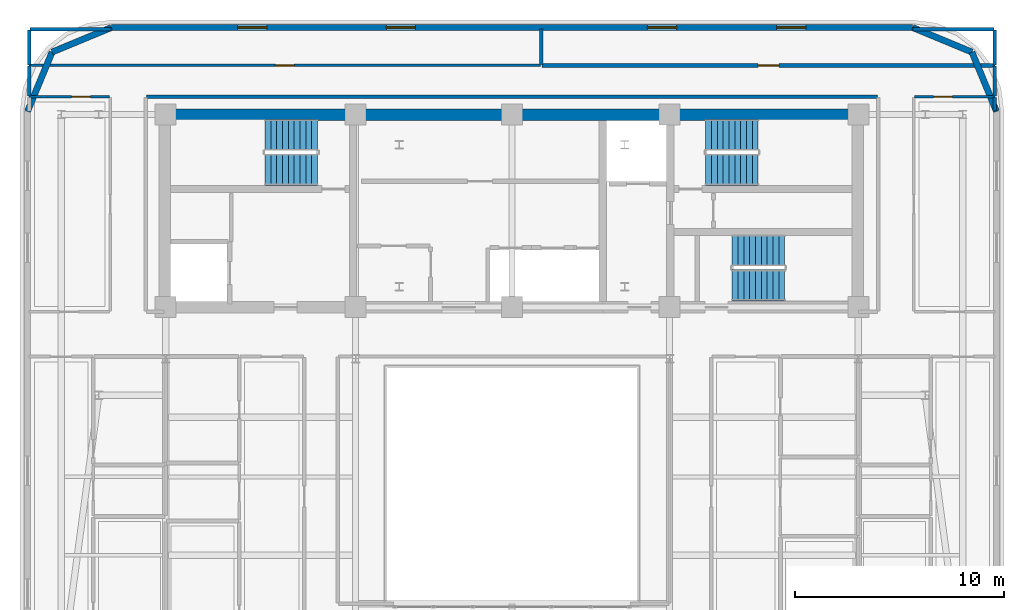
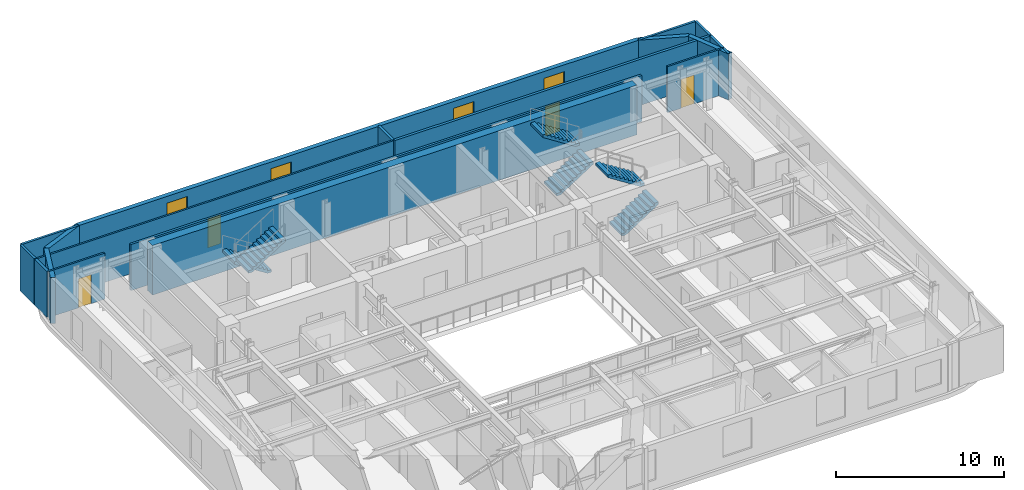
# One storey, part 10 of 14: 19 walls, 6 stair flights, 4 doors, 4 windows, 8 openings, 3 elements without a shape of their own.
"""IFC4 building model written with IfcOpenShell, lengths in metres."""

from ifc_helpers import new_model, si_unit, direction, frame, frame_2d, origin, place, context, subcontext, project, spatial, polyline, rectangle, outline, extrude, material, layer, layer_set, type_object, element, fill, aggregate, save


model = new_model("IFC4")

# Units and contexts
model_context = context("Model", 3, precision=1e-05, world=origin(), true_north=direction((0.0, 1.0)))
body_context = subcontext(model_context, "Body", "Model", "MODEL_VIEW")
ifc_project = project(units=[si_unit("LENGTHUNIT", "METRE"), si_unit("AREAUNIT", "SQUARE_METRE"), si_unit("VOLUMEUNIT", "CUBIC_METRE"), si_unit("PLANEANGLEUNIT", "RADIAN"), si_unit("MASSUNIT", "GRAM", prefix="KILO")], contexts=[model_context])

# Site, building, storey
site_placement = place(None, origin())
site = spatial("IfcSite", under=ifc_project, at=site_placement, CompositionType="ELEMENT")
building_placement = place(site_placement, origin())
building = spatial("IfcBuilding", under=site, at=building_placement, Name="Zarnavel Station Tower", CompositionType="ELEMENT")
storey_placement = place(building_placement, frame((0.0, 0.0, 193.199951171875)))
storey = spatial("IfcBuildingStorey", under=building, at=storey_placement, Name="L52", CompositionType="ELEMENT", Elevation=193.199951171875)

# Walls
ifc_material_1 = material(Name="Concrete C50/60", Category="concrete")
ifc_layer_1 = layer(ifc_material_1, 0.550048828125)
ifc_layer_set_1 = layer_set([ifc_layer_1], Name="CW_550")
wall_type_1 = type_object("IfcWallType", Name="CW_550", PredefinedType="SHEAR", material=ifc_layer_set_1)
wall_1_placement = place(storey_placement, frame((12.14990234375, 37.050048828125, 0.0), z_axis=(0.0, 0.0, 1.0), x_axis=(1.0, 0.0, 0.0)))
element("IfcWall", 1, at=wall_1_placement, inside=storey, type_object=wall_type_1, Name="L52 Rear Core Shear Wall N", PredefinedType="SHEAR", context=body_context, shape_type="SweptSolid", body=[
    extrude(rectangle(XDim=33.22998046875, YDim=0.550048828125, at=frame_2d((16.614990234375, 0.0))), origin(), (0.0, 0.0, 1.0), 3.60009765625),
])
ifc_material_2 = material(Name="Precast concrete C45/55 (Dark Basalt Finish)", Category="masonry")
ifc_layer_2 = layer(ifc_material_2, 0.300048828125)
ifc_layer_set_2 = layer_set([ifc_layer_2], Name="EW_BASALT_300")
wall_type_2 = type_object("IfcWallType", Name="EW_BASALT_300", PredefinedType="SOLIDWALL", material=ifc_layer_set_2)
for number, where, z_axis, x_axis, name in (
    (2, (50.842529296875, 40.04248046875, 0.0), (0.0, 0.0, 1.0), (0.382704529509, -0.923870793506, 0.0), "L52 Exterior Basalt Masonry Frame Wall 04"),
    (3, (48.0, 41.219970703125, 0.0), (0.0, 0.0, 1.0), (0.923870793506, -0.382704529509, 0.0), "L52 Exterior Basalt Masonry Frame Wall 05"),
):
    element("IfcWall", number, at=place(storey_placement, frame(where, z_axis=z_axis, x_axis=x_axis)), inside=storey, type_object=wall_type_2, Name=name, PredefinedType="SOLIDWALL", context=body_context, shape_type="SweptSolid", body=[
        extrude(rectangle(XDim=3.07666015625, YDim=0.300048828125, at=frame_2d((1.538330078125, 0.0))), origin(), (0.0, 0.0, 1.0), 3.340087890625),
    ])

# Wall, openings, windows
wall_2_placement = place(storey_placement, frame((9.60009765625, 41.219970703125, 0.0), z_axis=(0.0, 0.0, 1.0), x_axis=(1.0, 0.0, 0.0)))
wall_2 = element("IfcWall", 4, at=wall_2_placement, inside=storey, type_object=wall_type_2, Name="L52 Exterior Basalt Masonry Frame Wall 06", PredefinedType="SOLIDWALL", context=body_context, shape_type="SweptSolid", body=[
    extrude(rectangle(XDim=38.39990234375, YDim=0.300048828125, at=frame_2d((19.199951171875, 0.0))), origin(), (0.0, 0.0, 1.0), 3.340087890625),
])
opening_1_placement = place(wall_2_placement, frame((6.046630859375, 0.0, 0.75)))
opening_1 = element("IfcOpeningElement", 5, at=opening_1_placement, cuts=wall_2, Name="Opening WN04", PredefinedType="OPENING", context=body_context, shape_type="SweptSolid", body=[
    extrude(rectangle(XDim=1.39990234375, YDim=2.10009765625, at=frame_2d((0.699951171875, 1.050048828125))), frame((0.0, 0.159912109375, 0.0), z_axis=(0.0, -1.0, 0.0), x_axis=(1.0, 0.0, 0.0)), (0.0, 0.0, 1.0), 0.320068359375),
])
opening_2_placement = place(wall_2_placement, frame((13.17333984375, 0.0, 0.75)))
opening_2 = element("IfcOpeningElement", 6, at=opening_2_placement, cuts=wall_2, Name="Opening WN04", PredefinedType="OPENING", context=body_context, shape_type="SweptSolid", body=[
    extrude(rectangle(XDim=1.39990234375, YDim=2.10009765625, at=frame_2d((0.699951171875, 1.050048828125))), frame((0.0, 0.159912109375, 0.0), z_axis=(0.0, -1.0, 0.0), x_axis=(1.0, 0.0, 0.0)), (0.0, 0.0, 1.0), 0.320068359375),
])
opening_3_placement = place(wall_2_placement, frame((25.693359375, 0.0, 0.75)))
opening_3 = element("IfcOpeningElement", 7, at=opening_3_placement, cuts=wall_2, Name="Opening WN04", PredefinedType="OPENING", context=body_context, shape_type="SweptSolid", body=[
    extrude(rectangle(XDim=1.39990234375, YDim=2.10009765625, at=frame_2d((0.699951171875, 1.050048828125))), frame((0.0, 0.159912109375, 0.0), z_axis=(0.0, -1.0, 0.0), x_axis=(1.0, 0.0, 0.0)), (0.0, 0.0, 1.0), 0.320068359375),
])
opening_4_placement = place(wall_2_placement, frame((31.88671875, 0.0, 0.75)))
opening_4 = element("IfcOpeningElement", 8, at=opening_4_placement, cuts=wall_2, Name="Opening WN04", PredefinedType="OPENING", context=body_context, shape_type="SweptSolid", body=[
    extrude(rectangle(XDim=1.39990234375, YDim=2.10009765625, at=frame_2d((0.699951171875, 1.050048828125))), frame((0.0, 0.159912109375, 0.0), z_axis=(0.0, -1.0, 0.0), x_axis=(1.0, 0.0, 0.0)), (0.0, 0.0, 1.0), 0.320068359375),
])
ifc_material_3 = material(Name="Thermally Broken Black Aluminium and Low-E Dark Glass", Category="aluminium")
window_type = type_object("IfcWindowType", Name="WN_1400x2100", PartitioningType="DOUBLE_PANEL_VERTICAL", PredefinedType="WINDOW", material=ifc_material_3)
window_1_placement = place(opening_1_placement, origin())
window_1 = element("IfcWindow", 9, at=window_1_placement, inside=storey, type_object=window_type, Name="L52 Recessed Facade Window 01", OverallHeight=2.10009765625, OverallWidth=1.39990234375, PartitioningType="SINGLE_PANEL", PredefinedType="WINDOW", context=body_context, shape_type="SweptSolid", body=[
    extrude(rectangle(XDim=1.39990234375, YDim=2.10009765625, at=frame_2d((0.699951171875, 1.050048828125))), frame((0.0, 0.030029296875, 0.0), z_axis=(0.0, -1.0, 0.0), x_axis=(1.0, 0.0, 0.0)), (0.0, 0.0, 1.0), 0.06005859375),
])
fill(opening_1, window_1)
window_2_placement = place(opening_2_placement, origin())
window_2 = element("IfcWindow", 10, at=window_2_placement, inside=storey, type_object=window_type, Name="L52 Recessed Facade Window 02", OverallHeight=2.10009765625, OverallWidth=1.39990234375, PartitioningType="SINGLE_PANEL", PredefinedType="WINDOW", context=body_context, shape_type="SweptSolid", body=[
    extrude(rectangle(XDim=1.39990234375, YDim=2.10009765625, at=frame_2d((0.699951171875, 1.050048828125))), frame((0.0, 0.030029296875, 0.0), z_axis=(0.0, -1.0, 0.0), x_axis=(1.0, 0.0, 0.0)), (0.0, 0.0, 1.0), 0.06005859375),
])
fill(opening_2, window_2)
window_3_placement = place(opening_3_placement, origin())
window_3 = element("IfcWindow", 11, at=window_3_placement, inside=storey, type_object=window_type, Name="L52 Recessed Facade Window 03", OverallHeight=2.10009765625, OverallWidth=1.39990234375, PartitioningType="SINGLE_PANEL", PredefinedType="WINDOW", context=body_context, shape_type="SweptSolid", body=[
    extrude(rectangle(XDim=1.39990234375, YDim=2.10009765625, at=frame_2d((0.699951171875, 1.050048828125))), frame((0.0, 0.030029296875, 0.0), z_axis=(0.0, -1.0, 0.0), x_axis=(1.0, 0.0, 0.0)), (0.0, 0.0, 1.0), 0.06005859375),
])
fill(opening_3, window_3)
window_4_placement = place(opening_4_placement, origin())
window_4 = element("IfcWindow", 12, at=window_4_placement, inside=storey, type_object=window_type, Name="L52 Recessed Facade Window 04", OverallHeight=2.10009765625, OverallWidth=1.39990234375, PartitioningType="SINGLE_PANEL", PredefinedType="WINDOW", context=body_context, shape_type="SweptSolid", body=[
    extrude(rectangle(XDim=1.39990234375, YDim=2.10009765625, at=frame_2d((0.699951171875, 1.050048828125))), frame((0.0, 0.030029296875, 0.0), z_axis=(0.0, -1.0, 0.0), x_axis=(1.0, 0.0, 0.0)), (0.0, 0.0, 1.0), 0.06005859375),
])
fill(opening_4, window_4)

# Walls
wall_3_placement = place(storey_placement, frame((6.75732421875, 40.04248046875, 0.0), z_axis=(0.0, 0.0, 1.0), x_axis=(0.923882414032, 0.382676475685, 0.0)))
element("IfcWall", 13, at=wall_3_placement, inside=storey, type_object=wall_type_2, Name="L52 Exterior Basalt Masonry Frame Wall 07", PredefinedType="SOLIDWALL", context=body_context, shape_type="SweptSolid", body=[
    extrude(rectangle(XDim=3.076904296875, YDim=0.300048828125, at=frame_2d((1.53857421875, 0.0))), origin(), (0.0, 0.0, 1.0), 3.340087890625),
])
wall_4_placement = place(storey_placement, frame((5.580078125, 37.199951171875, 0.0), z_axis=(0.0, 0.0, 1.0), x_axis=(0.382636798336, 0.92389884758, 0.0)))
element("IfcWall", 14, at=wall_4_placement, inside=storey, type_object=wall_type_2, Name="L52 Exterior Basalt Masonry Frame Wall 08", PredefinedType="SOLIDWALL", context=body_context, shape_type="SweptSolid", body=[
    extrude(rectangle(XDim=3.07666015625, YDim=0.300048828125, at=frame_2d((1.538330078125, 0.0))), origin(), (0.0, 0.0, 1.0), 3.340087890625),
])
ifc_material_4 = material(Name="Gypsum Twin-Stud Acoustic Fire Partition", Category="concrete")
ifc_layer_3 = layer(ifc_material_4, 0.159912109375)
ifc_layer_set_3 = layer_set([ifc_layer_3], Name="PT_DEMISE_160")
wall_type_3 = type_object("IfcWallType", Name="PT_DEMISE_160", PredefinedType="PARTITIONING", material=ifc_layer_set_3)
wall_5_placement = place(storey_placement, frame((11.280029296875, 37.89990234375, 0.0), z_axis=(0.0, 0.0, 1.0), x_axis=(1.0, 0.0, 0.0)))
element("IfcWall", 15, at=wall_5_placement, inside=storey, type_object=wall_type_3, Name="L52 Enclosure Wall COR-N", PredefinedType="PARTITIONING", context=body_context, shape_type="SweptSolid", body=[
    extrude(rectangle(XDim=35.0400390625, YDim=0.159912109375, at=frame_2d((17.52001953125, 0.0))), origin(), (0.0, 0.0, 1.0), 3.340087890625),
])
for number, where, z_axis, x_axis, name in (
    (16, (5.659912109375, 37.929931640625, 0.0), (0.0, 0.0, 1.0), (0.0, 1.0, 0.0), "L52 Enclosure Wall COR-N"),
    (17, (51.93994140625, 37.929931640625, 0.0), (0.0, 0.0, 1.0), (0.0, 1.0, 0.0), "L52 Enclosure Wall COR-N"),
):
    element("IfcWall", number, at=place(storey_placement, frame(where, z_axis=z_axis, x_axis=x_axis)), inside=storey, type_object=wall_type_3, Name=name, PredefinedType="PARTITIONING", context=body_context, shape_type="SweptSolid", body=[
        extrude(rectangle(XDim=1.440185546875, YDim=0.159912109375, at=frame_2d((0.72021484375, 0.0))), origin(), (0.0, 0.0, 1.0), 3.340087890625),
    ])
wall_6_placement = place(storey_placement, frame((51.93994140625, 37.22998046875, 0.0), z_axis=(0.0, 0.0, 1.0), x_axis=(0.0, 1.0, 0.0)))
element("IfcWall", 18, at=wall_6_placement, inside=storey, type_object=wall_type_3, Name="L52 Enclosure Wall FNE", PredefinedType="PARTITIONING", context=body_context, shape_type="SweptSolid", body=[
    extrude(rectangle(XDim=0.64013671875, YDim=0.159912109375, at=frame_2d((0.320068359375, 0.0))), origin(), (0.0, 0.0, 1.0), 3.340087890625),
])
wall_7_placement = place(storey_placement, frame((5.68994140625, 41.139892578125, 0.0), z_axis=(0.0, 0.0, 1.0), x_axis=(1.0, 0.0, 0.0)))
element("IfcWall", 19, at=wall_7_placement, inside=storey, type_object=wall_type_3, Name="L52 Enclosure Wall NLOU", PredefinedType="PARTITIONING", context=body_context, shape_type="SweptSolid", body=[
    extrude(rectangle(XDim=3.880126953125, YDim=0.159912109375, at=frame_2d((1.93994140625, 0.0))), origin(), (0.0, 0.0, 1.0), 3.340087890625),
])
wall_8_placement = place(storey_placement, frame((5.659912109375, 39.429931640625, 0.0), z_axis=(0.0, 0.0, 1.0), x_axis=(0.0, 1.0, 0.0)))
element("IfcWall", 20, at=wall_8_placement, inside=storey, type_object=wall_type_3, Name="L52 Enclosure Wall NLOU", PredefinedType="PARTITIONING", context=body_context, shape_type="SweptSolid", body=[
    extrude(rectangle(XDim=1.68017578125, YDim=0.159912109375, at=frame_2d((0.840087890625, 0.0))), origin(), (0.0, 0.0, 1.0), 3.340087890625),
])
wall_9_placement = place(storey_placement, frame((48.030029296875, 41.139892578125, 0.0), z_axis=(0.0, 0.0, 1.0), x_axis=(1.0, 0.0, 0.0)))
element("IfcWall", 21, at=wall_9_placement, inside=storey, type_object=wall_type_3, Name="L52 Enclosure Wall NPAN", PredefinedType="PARTITIONING", context=body_context, shape_type="SweptSolid", body=[
    extrude(rectangle(XDim=3.8798828125, YDim=0.159912109375, at=frame_2d((1.93994140625, 0.0))), origin(), (0.0, 0.0, 1.0), 3.340087890625),
])
wall_10_placement = place(storey_placement, frame((51.93994140625, 39.429931640625, 0.0), z_axis=(0.0, 0.0, 1.0), x_axis=(0.0, 1.0, 0.0)))
element("IfcWall", 22, at=wall_10_placement, inside=storey, type_object=wall_type_3, Name="L52 Enclosure Wall NPAN", PredefinedType="PARTITIONING", context=body_context, shape_type="SweptSolid", body=[
    extrude(rectangle(XDim=1.68017578125, YDim=0.159912109375, at=frame_2d((0.840087890625, 0.0))), origin(), (0.0, 0.0, 1.0), 3.340087890625),
])

# Wall, opening, door
ifc_material_5 = material(Name="Gypsum Metal-Stud Interior Partition", Category="concrete")
ifc_layer_4 = layer(ifc_material_5, 0.1201171875)
ifc_layer_set_4 = layer_set([ifc_layer_4], Name="PT_ROOM_120")
wall_type_4 = type_object("IfcWallType", Name="PT_ROOM_120", PredefinedType="PARTITIONING", material=ifc_layer_set_4)
wall_11_placement = place(storey_placement, frame((5.659912109375, 37.89990234375, 0.0), z_axis=(0.0, 0.0, 1.0), x_axis=(1.0, 0.0, 0.0)))
wall_11 = element("IfcWall", 23, at=wall_11_placement, inside=storey, type_object=wall_type_4, Name="L52 Partition COR-N-FNW", PredefinedType="PARTITIONING", context=body_context, shape_type="SweptSolid", body=[
    extrude(rectangle(XDim=3.85009765625, YDim=0.1201171875, at=frame_2d((1.925048828125, 0.0))), origin(), (0.0, 0.0, 1.0), 3.340087890625),
])
opening_5_placement = place(wall_11_placement, frame((2.03125, 0.0, 0.0)))
opening_5 = element("IfcOpeningElement", 24, at=opening_5_placement, cuts=wall_11, Name="Opening ID01", PredefinedType="OPENING", context=body_context, shape_type="SweptSolid", body=[
    extrude(rectangle(XDim=0.89990234375, YDim=2.10009765625, at=frame_2d((0.449951171875, 1.050048828125))), frame((0.0, 0.070068359375, 0.0), z_axis=(0.0, -1.0, 0.0), x_axis=(1.0, 0.0, 0.0)), (0.0, 0.0, 1.0), 0.14013671875),
])
ifc_material_6 = material(Name="Painted Galvanised Steel and Hardwood Leaf", Category="steel")
door_type_1 = type_object("IfcDoorType", Name="ID_ROOM_900", OperationType="NOTDEFINED", PredefinedType="DOOR", material=ifc_material_6)
door_1_placement = place(opening_5_placement, origin())
door_1 = element("IfcDoor", 25, at=door_1_placement, inside=storey, type_object=door_type_1, Name="L52 Door COR-N-FNW", OperationType="SINGLE_SWING_LEFT", OverallHeight=2.10009765625, OverallWidth=0.89990234375, PredefinedType="DOOR", context=body_context, shape_type="SweptSolid", body=[
    extrude(rectangle(XDim=0.89990234375, YDim=2.10009765625, at=frame_2d((0.449951171875, 1.050048828125))), frame((0.0, 0.02490234375, 0.0), z_axis=(0.0, -1.0, 0.0), x_axis=(1.0, 0.0, 0.0)), (0.0, 0.0, 1.0), 0.050048828125),
])
fill(opening_5, door_1)

wall_12_placement = place(storey_placement, frame((48.090087890625, 37.89990234375, 0.0), z_axis=(0.0, 0.0, 1.0), x_axis=(1.0, 0.0, 0.0)))
wall_12 = element("IfcWall", 26, at=wall_12_placement, inside=storey, type_object=wall_type_4, Name="L52 Partition COR-N-FNE", PredefinedType="PARTITIONING", context=body_context, shape_type="SweptSolid", body=[
    extrude(rectangle(XDim=3.849853515625, YDim=0.1201171875, at=frame_2d((1.9248046875, 0.0))), origin(), (0.0, 0.0, 1.0), 3.340087890625),
])
opening_6_placement = place(wall_12_placement, frame((0.918701171875, 0.0, 0.0)))
opening_6 = element("IfcOpeningElement", 27, at=opening_6_placement, cuts=wall_12, Name="Opening ID01", PredefinedType="OPENING", context=body_context, shape_type="SweptSolid", body=[
    extrude(rectangle(XDim=0.89990234375, YDim=2.10009765625, at=frame_2d((0.449951171875, 1.050048828125))), frame((0.0, 0.070068359375, 0.0), z_axis=(0.0, -1.0, 0.0), x_axis=(1.0, 0.0, 0.0)), (0.0, 0.0, 1.0), 0.14013671875),
])
door_2_placement = place(opening_6_placement, origin())
door_2 = element("IfcDoor", 28, at=door_2_placement, inside=storey, type_object=door_type_1, Name="L52 Door COR-N-FNE", OperationType="SINGLE_SWING_RIGHT", OverallHeight=2.10009765625, OverallWidth=0.89990234375, PredefinedType="DOOR", context=body_context, shape_type="SweptSolid", body=[
    extrude(rectangle(XDim=0.89990234375, YDim=2.10009765625, at=frame_2d((0.449951171875, 1.050048828125))), frame((0.0, 0.02490234375, 0.0), z_axis=(0.0, -1.0, 0.0), x_axis=(1.0, 0.0, 0.0)), (0.0, 0.0, 1.0), 0.050048828125),
])
fill(opening_6, door_2)

wall_13_placement = place(storey_placement, frame((5.659912109375, 39.39990234375, 0.0), z_axis=(0.0, 0.0, 1.0), x_axis=(1.0, 0.0, 0.0)))
wall_13 = element("IfcWall", 29, at=wall_13_placement, inside=storey, type_object=wall_type_4, Name="L52 Partition COR-N-NLOU", PredefinedType="PARTITIONING", context=body_context, shape_type="SweptSolid", body=[
    extrude(rectangle(XDim=24.5, YDim=0.1201171875, at=frame_2d((12.25, 0.0))), origin(), (0.0, 0.0, 1.0), 3.340087890625),
])
opening_7_placement = place(wall_13_placement, frame((11.800048828125, 0.0, 0.0)))
opening_7 = element("IfcOpeningElement", 30, at=opening_7_placement, cuts=wall_13, Name="Opening ID01", PredefinedType="OPENING", context=body_context, shape_type="SweptSolid", body=[
    extrude(rectangle(XDim=0.89990234375, YDim=2.10009765625, at=frame_2d((0.449951171875, 1.050048828125))), frame((0.0, 0.070068359375, 0.0), z_axis=(0.0, -1.0, 0.0), x_axis=(1.0, 0.0, 0.0)), (0.0, 0.0, 1.0), 0.14013671875),
])
door_3_placement = place(opening_7_placement, origin())
door_3 = element("IfcDoor", 31, at=door_3_placement, inside=storey, type_object=door_type_1, Name="L52 Door COR-N-NLOU", OperationType="SINGLE_SWING_LEFT", OverallHeight=2.10009765625, OverallWidth=0.89990234375, PredefinedType="DOOR", context=body_context, shape_type="SweptSolid", body=[
    extrude(rectangle(XDim=0.89990234375, YDim=2.10009765625, at=frame_2d((0.449951171875, 1.050048828125))), frame((0.0, 0.02490234375, 0.0), z_axis=(0.0, -1.0, 0.0), x_axis=(1.0, 0.0, 0.0)), (0.0, 0.0, 1.0), 0.050048828125),
])
fill(opening_7, door_3)

ifc_material_7 = material(Name="Moisture-Resistant Plumbing Chase Wall", Category="concrete")
ifc_layer_5 = layer(ifc_material_7, 0.179931640625)
ifc_layer_set_5 = layer_set([ifc_layer_5], Name="PW_PLUMB_180")
wall_type_5 = type_object("IfcWallType", Name="PW_PLUMB_180", PredefinedType="PLUMBINGWALL", material=ifc_layer_set_5)
wall_14_placement = place(storey_placement, frame((30.239990234375, 39.39990234375, 0.0), z_axis=(0.0, 0.0, 1.0), x_axis=(1.0, 0.0, 0.0)))
wall_14 = element("IfcWall", 32, at=wall_14_placement, inside=storey, type_object=wall_type_5, Name="L52 Partition COR-N-NPAN", PredefinedType="PLUMBINGWALL", context=body_context, shape_type="SweptSolid", body=[
    extrude(rectangle(XDim=21.699951171875, YDim=0.179931640625, at=frame_2d((10.85009765625, 0.0))), origin(), (0.0, 0.0, 1.0), 3.340087890625),
])
opening_8_placement = place(wall_14_placement, frame((10.35009765625, 0.0, 0.0)))
opening_8 = element("IfcOpeningElement", 33, at=opening_8_placement, cuts=wall_14, Name="Opening FD02", PredefinedType="OPENING", context=body_context, shape_type="SweptSolid", body=[
    extrude(rectangle(XDim=1.0, YDim=2.14990234375, at=frame_2d((0.5, 1.074951171875))), frame((0.0, 0.099853515625, 0.0), z_axis=(0.0, -1.0, 0.0), x_axis=(1.0, 0.0, 0.0)), (0.0, 0.0, 1.0), 0.199951171875),
])
ifc_material_8 = material(Name="Painted Galvanised Steel and Hardwood Leaf", Category="steel")
door_type_2 = type_object("IfcDoorType", Name="ID_ENTRY_1000", OperationType="NOTDEFINED", PredefinedType="DOOR", material=ifc_material_8)
door_4_placement = place(opening_8_placement, origin())
door_4 = element("IfcDoor", 34, at=door_4_placement, inside=storey, type_object=door_type_2, Name="L52 Door COR-N-NPAN", OperationType="SINGLE_SWING_RIGHT", OverallHeight=2.14990234375, OverallWidth=1.0, PredefinedType="DOOR", context=body_context, shape_type="SweptSolid", body=[
    extrude(rectangle(XDim=1.0, YDim=2.14990234375, at=frame_2d((0.5, 1.074951171875))), frame((0.0, 0.02490234375, 0.0), z_axis=(0.0, -1.0, 0.0), x_axis=(1.0, 0.0, 0.0)), (0.0, 0.0, 1.0), 0.050048828125),
])
fill(opening_8, door_4)

# Wall
wall_15_placement = place(storey_placement, frame((30.199951171875, 39.43994140625, 0.0), z_axis=(0.0, 0.0, 1.0), x_axis=(0.0, 1.0, 0.0)))
element("IfcWall", 35, at=wall_15_placement, inside=storey, type_object=wall_type_5, Name="L52 Partition NLOU-NPAN", PredefinedType="PLUMBINGWALL", context=body_context, shape_type="SweptSolid", body=[
    extrude(rectangle(XDim=1.699951171875, YDim=0.179931640625, at=frame_2d((0.85009765625, 0.0))), origin(), (0.0, 0.0, 1.0), 3.340087890625),
])

# Stair, stair flights
ifc_material_9 = material(Name="Concrete C45/55", Category="concrete")
stair_type = type_object("IfcStairType", Name="ST_CORE_150", PredefinedType="HALF_TURN_STAIR", material=ifc_material_9)
stair_1_placement = place(storey_placement, origin())
stair_1 = element("IfcStair", 36, at=stair_1_placement, inside=storey, type_object=stair_type, Name="L52 Core Exit Stair ST1", PredefinedType="HALF_TURN_STAIR")
ifc_material_10 = material(Name="Concrete C45/55", Category="concrete")
ifc_layer_6 = layer(ifc_material_10, 0.179931640625)
ifc_layer_set_6 = layer_set([ifc_layer_6], Name="ST_CORE_150_FLT")
stair_flight_type = type_object("IfcStairFlightType", Name="ST_CORE_150_FLT", PredefinedType="STRAIGHT", material=ifc_layer_set_6)
stair_flight_1_placement = place(storey_placement, frame((19.47998046875, 36.070068359375, 0.0), z_axis=(0.0, 0.0, 1.0), x_axis=(-1.0, 0.0, 0.0)))
stair_flight_1 = element("IfcStairFlight", 37, at=stair_flight_1_placement, type_object=stair_flight_type, Name="ST1 flight 1", NumberOfRisers=10, NumberOfTreads=9, PredefinedType="STRAIGHT", RiserHeight=0.18, TreadLength=0.28, context=body_context, shape_type="SweptSolid", body=[
    extrude(outline(polyline([(0.0, 0.0), (0.0, 0.179931640625), (0.280029296875, 0.179931640625), (0.280029296875, 0.360107421875), (0.56005859375, 0.360107421875), (0.56005859375, 0.5400390625), (0.840087890625, 0.5400390625), (0.840087890625, 0.719970703125), (1.1201171875, 0.719970703125), (1.1201171875, 0.89990234375), (1.39990234375, 0.89990234375), (1.39990234375, 1.080078125), (1.679931640625, 1.080078125), (1.679931640625, 1.260009765625), (1.9599609375, 1.260009765625), (1.9599609375, 1.43994140625), (2.239990234375, 1.43994140625), (2.239990234375, 1.6201171875), (2.52001953125, 1.6201171875), (2.52001953125, 1.800048828125), (2.52001953125, 1.44189453125), (0.277099609375, 0.0), (0.0, 0.0)])), frame((0.0, 0.75, 0.0), z_axis=(0.0, -1.0, 0.0), x_axis=(1.0, 0.0, 0.0)), (0.0, 0.0, 1.0), 1.5),
])
stair_flight_2_placement = place(storey_placement, frame((16.9599609375, 34.409912109375, 1.800048828125), z_axis=(0.0, 0.0, 1.0), x_axis=(1.0, 0.0, 0.0)))
stair_flight_2 = element("IfcStairFlight", 38, at=stair_flight_2_placement, type_object=stair_flight_type, Name="ST1 flight 2", NumberOfRisers=10, NumberOfTreads=9, PredefinedType="STRAIGHT", RiserHeight=0.18, TreadLength=0.28, context=body_context, shape_type="SweptSolid", body=[
    extrude(outline(polyline([(0.0, 0.0), (0.0, 0.179931640625), (0.280029296875, 0.179931640625), (0.280029296875, 0.360107421875), (0.56005859375, 0.360107421875), (0.56005859375, 0.5400390625), (0.840087890625, 0.5400390625), (0.840087890625, 0.719970703125), (1.1201171875, 0.719970703125), (1.1201171875, 0.89990234375), (1.39990234375, 0.89990234375), (1.39990234375, 1.080078125), (1.679931640625, 1.080078125), (1.679931640625, 1.260009765625), (1.9599609375, 1.260009765625), (1.9599609375, 1.43994140625), (2.239990234375, 1.43994140625), (2.239990234375, 1.6201171875), (2.52001953125, 1.6201171875), (2.52001953125, 1.800048828125), (2.52001953125, 1.44189453125), (0.277099609375, 0.0), (0.0, 0.0)])), frame((0.0, 0.75, 0.0), z_axis=(0.0, -1.0, 0.0), x_axis=(1.0, 0.0, 0.0)), (0.0, 0.0, 1.0), 1.5),
])
aggregate(stair_1, [stair_flight_1, stair_flight_2])

stair_2_placement = place(storey_placement, origin())
stair_2 = element("IfcStair", 39, at=stair_2_placement, inside=storey, type_object=stair_type, Name="L52 Core Exit Stair ST2", PredefinedType="HALF_TURN_STAIR")
stair_flight_3_placement = place(storey_placement, frame((38.080078125, 34.409912109375, 0.0), z_axis=(0.0, 0.0, 1.0), x_axis=(1.0, 0.0, 0.0)))
stair_flight_3 = element("IfcStairFlight", 40, at=stair_flight_3_placement, type_object=stair_flight_type, Name="ST2 flight 1", NumberOfRisers=10, NumberOfTreads=9, PredefinedType="STRAIGHT", RiserHeight=0.18, TreadLength=0.28, context=body_context, shape_type="SweptSolid", body=[
    extrude(outline(polyline([(0.0, 0.0), (0.0, 0.179931640625), (0.280029296875, 0.179931640625), (0.280029296875, 0.360107421875), (0.56005859375, 0.360107421875), (0.56005859375, 0.5400390625), (0.840087890625, 0.5400390625), (0.840087890625, 0.719970703125), (1.1201171875, 0.719970703125), (1.1201171875, 0.89990234375), (1.39990234375, 0.89990234375), (1.39990234375, 1.080078125), (1.679931640625, 1.080078125), (1.679931640625, 1.260009765625), (1.9599609375, 1.260009765625), (1.9599609375, 1.43994140625), (2.239990234375, 1.43994140625), (2.239990234375, 1.6201171875), (2.52001953125, 1.6201171875), (2.52001953125, 1.800048828125), (2.52001953125, 1.44189453125), (0.277099609375, 0.0), (0.0, 0.0)])), frame((0.0, 0.75, 0.0), z_axis=(0.0, -1.0, 0.0), x_axis=(1.0, 0.0, 0.0)), (0.0, 0.0, 1.0), 1.5),
])
stair_flight_4_placement = place(storey_placement, frame((40.60009765625, 36.070068359375, 1.800048828125), z_axis=(0.0, 0.0, 1.0), x_axis=(-1.0, 0.0, 0.0)))
stair_flight_4 = element("IfcStairFlight", 41, at=stair_flight_4_placement, type_object=stair_flight_type, Name="ST2 flight 2", NumberOfRisers=10, NumberOfTreads=9, PredefinedType="STRAIGHT", RiserHeight=0.18, TreadLength=0.28, context=body_context, shape_type="SweptSolid", body=[
    extrude(outline(polyline([(0.0, 0.0), (0.0, 0.179931640625), (0.280029296875, 0.179931640625), (0.280029296875, 0.360107421875), (0.56005859375, 0.360107421875), (0.56005859375, 0.5400390625), (0.840087890625, 0.5400390625), (0.840087890625, 0.719970703125), (1.1201171875, 0.719970703125), (1.1201171875, 0.89990234375), (1.39990234375, 0.89990234375), (1.39990234375, 1.080078125), (1.679931640625, 1.080078125), (1.679931640625, 1.260009765625), (1.9599609375, 1.260009765625), (1.9599609375, 1.43994140625), (2.239990234375, 1.43994140625), (2.239990234375, 1.6201171875), (2.52001953125, 1.6201171875), (2.52001953125, 1.800048828125), (2.52001953125, 1.44189453125), (0.277099609375, 0.0), (0.0, 0.0)])), frame((0.0, 0.75, 0.0), z_axis=(0.0, -1.0, 0.0), x_axis=(1.0, 0.0, 0.0)), (0.0, 0.0, 1.0), 1.5),
])
aggregate(stair_2, [stair_flight_3, stair_flight_4])

stair_3_placement = place(storey_placement, origin())
stair_3 = element("IfcStair", 42, at=stair_3_placement, inside=storey, type_object=stair_type, Name="L52 Core Exit Stair ST3", PredefinedType="HALF_TURN_STAIR")
stair_flight_5_placement = place(storey_placement, frame((39.35009765625, 28.8701171875, 0.0), z_axis=(0.0, 0.0, 1.0), x_axis=(1.0, 0.0, 0.0)))
stair_flight_5 = element("IfcStairFlight", 43, at=stair_flight_5_placement, type_object=stair_flight_type, Name="ST3 flight 1", NumberOfRisers=10, NumberOfTreads=9, PredefinedType="STRAIGHT", RiserHeight=0.18, TreadLength=0.28, context=body_context, shape_type="SweptSolid", body=[
    extrude(outline(polyline([(0.0, 0.0), (0.0, 0.179931640625), (0.280029296875, 0.179931640625), (0.280029296875, 0.360107421875), (0.56005859375, 0.360107421875), (0.56005859375, 0.5400390625), (0.840087890625, 0.5400390625), (0.840087890625, 0.719970703125), (1.1201171875, 0.719970703125), (1.1201171875, 0.89990234375), (1.39990234375, 0.89990234375), (1.39990234375, 1.080078125), (1.679931640625, 1.080078125), (1.679931640625, 1.260009765625), (1.9599609375, 1.260009765625), (1.9599609375, 1.43994140625), (2.239990234375, 1.43994140625), (2.239990234375, 1.6201171875), (2.52001953125, 1.6201171875), (2.52001953125, 1.800048828125), (2.52001953125, 1.44189453125), (0.277099609375, 0.0), (0.0, 0.0)])), frame((0.0, 0.75, 0.0), z_axis=(0.0, -1.0, 0.0), x_axis=(1.0, 0.0, 0.0)), (0.0, 0.0, 1.0), 1.5),
])
stair_flight_6_placement = place(storey_placement, frame((41.8701171875, 30.530029296875, 1.800048828125), z_axis=(0.0, 0.0, 1.0), x_axis=(-1.0, 0.0, 0.0)))
stair_flight_6 = element("IfcStairFlight", 44, at=stair_flight_6_placement, type_object=stair_flight_type, Name="ST3 flight 2", NumberOfRisers=10, NumberOfTreads=9, PredefinedType="STRAIGHT", RiserHeight=0.18, TreadLength=0.28, context=body_context, shape_type="SweptSolid", body=[
    extrude(outline(polyline([(0.0, 0.0), (0.0, 0.179931640625), (0.280029296875, 0.179931640625), (0.280029296875, 0.360107421875), (0.56005859375, 0.360107421875), (0.56005859375, 0.5400390625), (0.840087890625, 0.5400390625), (0.840087890625, 0.719970703125), (1.1201171875, 0.719970703125), (1.1201171875, 0.89990234375), (1.39990234375, 0.89990234375), (1.39990234375, 1.080078125), (1.679931640625, 1.080078125), (1.679931640625, 1.260009765625), (1.9599609375, 1.260009765625), (1.9599609375, 1.43994140625), (2.239990234375, 1.43994140625), (2.239990234375, 1.6201171875), (2.52001953125, 1.6201171875), (2.52001953125, 1.800048828125), (2.52001953125, 1.44189453125), (0.277099609375, 0.0), (0.0, 0.0)])), frame((0.0, 0.75, 0.0), z_axis=(0.0, -1.0, 0.0), x_axis=(1.0, 0.0, 0.0)), (0.0, 0.0, 1.0), 1.5),
])
aggregate(stair_3, [stair_flight_5, stair_flight_6])

save(model, "model.ifc")
